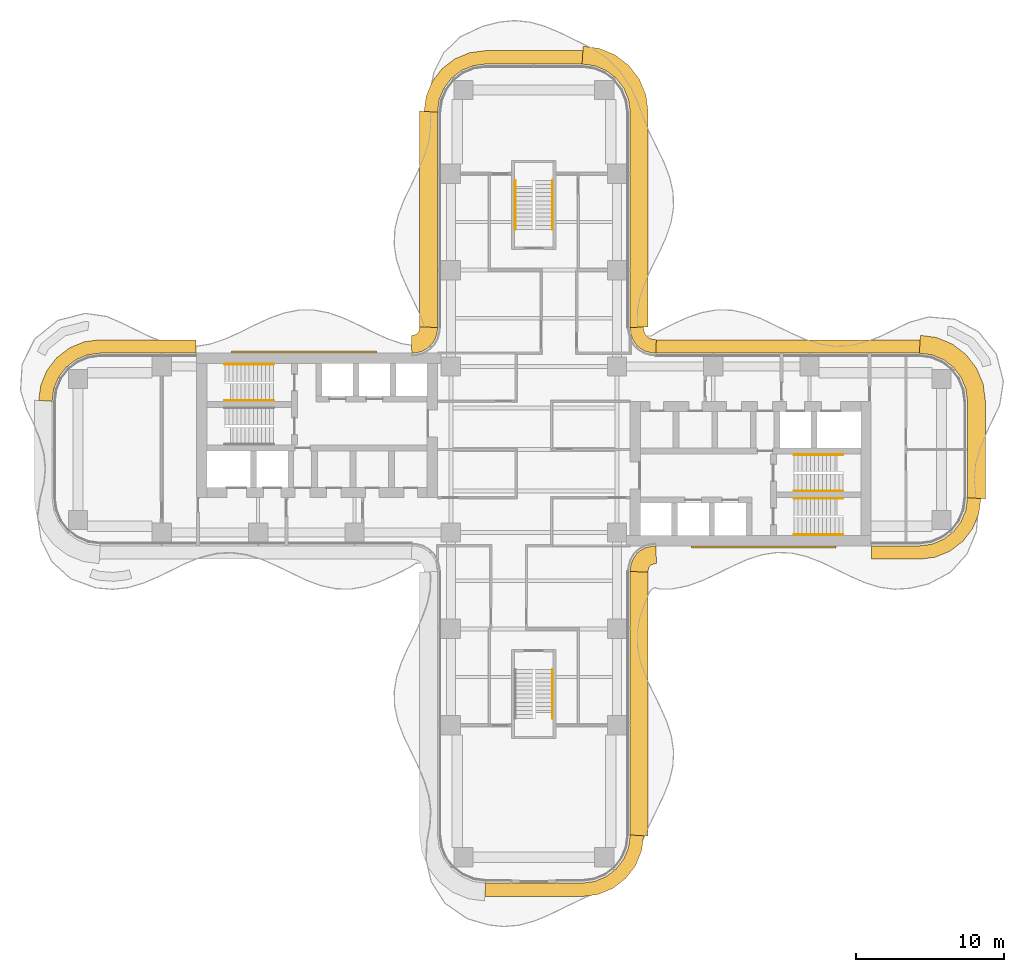
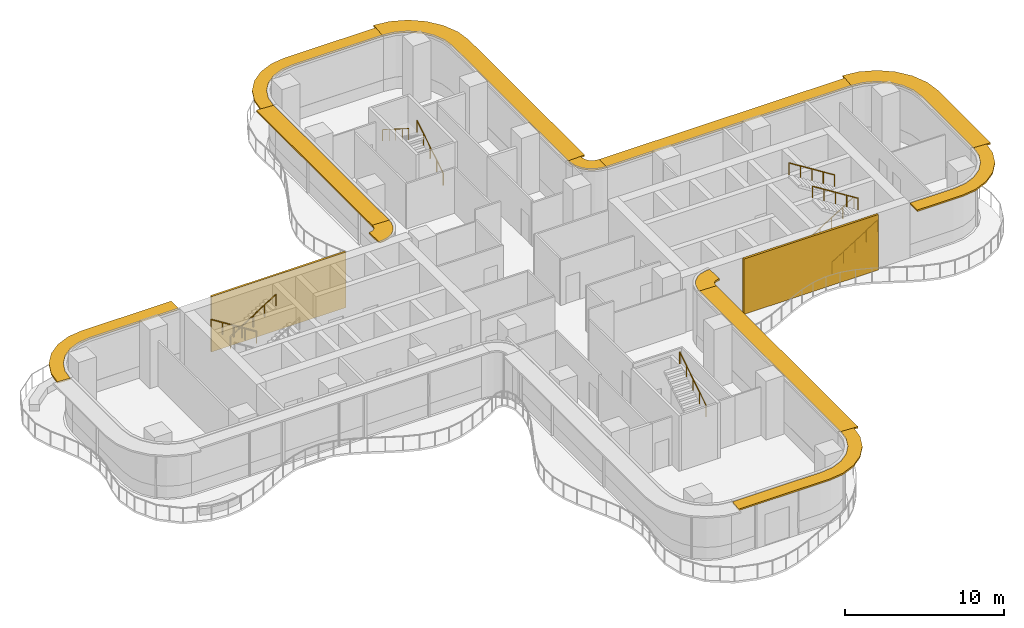
# One storey, part 21 of 21: 12 shading devices, 9 railings, 2 coverings.
"""IFC4 building model written with IfcOpenShell, lengths in metres."""

import ifcopenshell
import ifcopenshell.guid

model = None  # the IFC model being written
_history = None  # IfcOwnerHistory: only IFC2X3 demands one
_inside = {}  # id of a spatial element -> (the spatial element, [elements in it])
_under = {}  # id of a project, library or spatial element -> (it, [spatial elements below it])
_declared = {}  # id of a project -> (the project, [libraries it declares])
_typed = {}  # id of a type object -> (the type object, [elements of that type])
_made_of = {}  # id of a material, layer set ... -> (it, [elements and type objects made of it])


def new_model(schema):
    """Start an empty IFC model of exactly this schema.

    Asked for "IFC4X3", IfcOpenShell would pick the latest addendum, in which some entities
    have other attributes; the version numbers below select the first issue.
    IFC2X3 requires an IfcOwnerHistory on every rooted entity: one is made here for all.
    """
    global model, _history
    if schema == "IFC4X3":
        model = ifcopenshell.file(schema_version=(4, 3, 0, 0))
    else:
        model = ifcopenshell.file(schema=schema)
    _inside.clear()
    _under.clear()
    _declared.clear()
    _typed.clear()
    _made_of.clear()
    _history = None
    if model.schema == "IFC2X3":
        org = make("IfcOrganization", Name="unknown")
        user = make(
            "IfcPersonAndOrganization",
            ThePerson=make("IfcPerson", FamilyName="unknown"),
            TheOrganization=org,
        )
        app = make(
            "IfcApplication",
            ApplicationDeveloper=org,
            Version="unknown",
            ApplicationFullName="unknown",
            ApplicationIdentifier="unknown",
        )
        _history = make(
            "IfcOwnerHistory",
            OwningUser=user,
            OwningApplication=app,
            ChangeAction="ADDED",
            CreationDate=0,
        )
    return model


def make(cls, **values):
    """One entity of the class cls with the attributes given. An attribute that is None is left unset."""
    return model.create_entity(
        cls, **{name: value for name, value in values.items() if value is not None}
    )


def rooted(cls, **values):
    """An entity with a GlobalId (a new one), such as an element, a storey or a relation."""
    return make(cls, GlobalId=ifcopenshell.guid.new(), OwnerHistory=_history, **values)


def si_unit(unit_type, name, prefix=None):
    """IfcSIUnit, for example si_unit("LENGTHUNIT", "METRE", prefix="MILLI")."""
    return make("IfcSIUnit", UnitType=unit_type, Prefix=prefix, Name=name)


def assignment(units):
    """IfcUnitAssignment: the units of a project."""
    return None if units is None else make("IfcUnitAssignment", Units=units)


def point(xyz):
    """IfcCartesianPoint."""
    return None if xyz is None else make("IfcCartesianPoint", Coordinates=xyz)


def direction(xyz):
    """IfcDirection."""
    return None if xyz is None else make("IfcDirection", DirectionRatios=xyz)


def frame(location, z_axis=None, x_axis=None):
    """IfcAxis2Placement3D, a coordinate frame: its origin and axes. An axis left out is left unset."""
    return make(
        "IfcAxis2Placement3D",
        Location=point(location),
        Axis=direction(z_axis),
        RefDirection=direction(x_axis),
    )


def frame_2d(location, x_axis=None):
    """IfcAxis2Placement2D, a coordinate frame in the plane: its origin and x axis."""
    return make(
        "IfcAxis2Placement2D", Location=point(location), RefDirection=direction(x_axis)
    )


def origin():
    """The frame at (0, 0, 0) with its axes left unset."""
    return frame((0.0, 0.0, 0.0))


def origin_2d():
    """The frame at (0, 0) in the plane with its x axis left unset."""
    return frame_2d((0.0, 0.0))


def place(relative_to, where):
    """IfcLocalPlacement: puts the frame where relative to a parent placement (None: the world)."""
    return make(
        "IfcLocalPlacement", PlacementRelTo=relative_to, RelativePlacement=where
    )


def context(
    kind, dimensions, precision=None, world=None, true_north=None, identifier=None
):
    """IfcGeometricRepresentationContext, for example the 3D "Model" context."""
    return make(
        "IfcGeometricRepresentationContext",
        ContextIdentifier=identifier,
        ContextType=kind,
        CoordinateSpaceDimension=dimensions,
        Precision=precision,
        WorldCoordinateSystem=world,
        TrueNorth=true_north,
    )


def subcontext(parent, identifier, kind, view, scale=None):
    """IfcGeometricRepresentationSubContext, for example "Body" below "Model"."""
    return make(
        "IfcGeometricRepresentationSubContext",
        ContextIdentifier=identifier,
        ContextType=kind,
        ParentContext=parent,
        TargetScale=scale,
        TargetView=view,
    )


def project(units=None, contexts=None):
    """IfcProject with its units and contexts."""
    return rooted(
        "IfcProject",
        Name="project",
        RepresentationContexts=contexts,
        UnitsInContext=assignment(units),
    )


def spatial(cls, under=None, at=None, **own):
    """A site, building, storey or space (cls), placed at a placement, below another one or the project."""
    s = rooted(cls, ObjectPlacement=at, **own)
    if under is not None:
        _under.setdefault(under.id(), (under, []))[1].append(s)
    return s


def polyline(points):
    """IfcPolyline through the points."""
    return make("IfcPolyline", Points=[point(p) for p in points])


def profile(cls, at=None, kind="AREA", **sizes):
    """A parametric profile (cls). Its sizes go by their IFC names, for example OverallWidth=200.0."""
    return make(cls, ProfileType=kind, Position=at, **sizes)


def circle(**sizes):
    """IfcCircleProfileDef."""
    return profile("IfcCircleProfileDef", **sizes)


def outline(outer, holes=None, kind="AREA"):
    """IfcArbitraryClosedProfileDef: a profile drawn as a closed curve; with holes, ...WithVoids."""
    if holes is None:
        return make("IfcArbitraryClosedProfileDef", ProfileType=kind, OuterCurve=outer)
    return make(
        "IfcArbitraryProfileDefWithVoids",
        ProfileType=kind,
        OuterCurve=outer,
        InnerCurves=holes,
    )


def extrude(swept, where, along, depth):
    """IfcExtrudedAreaSolid: the profile swept, set in the frame where, extruded along a direction by depth."""
    return make(
        "IfcExtrudedAreaSolid",
        SweptArea=swept,
        Position=where,
        ExtrudedDirection=direction(along),
        Depth=depth,
    )


def shape(context_of_items, identifier, shape_type, items):
    """IfcShapeRepresentation: the items that make up one representation, for example the "Body"."""
    return make(
        "IfcShapeRepresentation",
        ContextOfItems=context_of_items,
        RepresentationIdentifier=identifier,
        RepresentationType=shape_type,
        Items=items,
    )


def source(mapping_origin, context_of_items, identifier, shape_type, items):
    """IfcRepresentationMap: a shape defined once, which mapped items show again and again."""
    return make(
        "IfcRepresentationMap",
        MappingOrigin=mapping_origin,
        MappedRepresentation=shape(context_of_items, identifier, shape_type, items),
    )


def transform(
    local_origin,
    x_axis=None,
    y_axis=None,
    z_axis=None,
    scale=None,
    scale2=None,
    scale3=None,
    uniform=True,
):
    """IfcCartesianTransformationOperator3D, or its non-uniform kind. x_axis, y_axis, z_axis: its Axis1, 2, 3."""
    if uniform:
        return make(
            "IfcCartesianTransformationOperator3D",
            Axis1=direction(x_axis),
            Axis2=direction(y_axis),
            LocalOrigin=point(local_origin),
            Scale=scale,
            Axis3=direction(z_axis),
        )
    return make(
        "IfcCartesianTransformationOperator3DnonUniform",
        Axis1=direction(x_axis),
        Axis2=direction(y_axis),
        LocalOrigin=point(local_origin),
        Scale=scale,
        Axis3=direction(z_axis),
        Scale2=scale2,
        Scale3=scale3,
    )


def mapped(mapping_source, mapping_target):
    """IfcMappedItem: shows the shape of a source again, moved by a transform."""
    return make(
        "IfcMappedItem", MappingSource=mapping_source, MappingTarget=mapping_target
    )


def material(Name=None, Category=None):
    """IfcMaterial."""
    return make("IfcMaterial", Name=Name, Category=Category)


def layer(
    of_material, thickness, ventilated=None, Name=None, Category=None, Priority=None
):
    """IfcMaterialLayer: one layer of a wall or slab, of a material (None: an air gap)."""
    return make(
        "IfcMaterialLayer",
        Material=of_material,
        LayerThickness=thickness,
        IsVentilated=ventilated,
        Name=Name,
        Category=Category,
        Priority=Priority,
    )


def layer_set(layers, Name=None):
    """IfcMaterialLayerSet."""
    return make("IfcMaterialLayerSet", MaterialLayers=layers, LayerSetName=Name)


def made_of(thing, what):
    """Note that an element or type object is made of a material, layer set ...; save() writes the relation."""
    if what is not None:
        _made_of.setdefault(what.id(), (what, []))[1].append(thing)
    return thing


def type_object(cls, material=None, **own):
    """A type object (cls), such as IfcWallType, which elements share."""
    return made_of(rooted(cls, **own), material)


def element(
    cls,
    number,
    at=None,
    inside=None,
    cuts=None,
    type_object=None,
    material=None,
    context=None,
    identifier="Body",
    shape_type=None,
    held_by="IfcProductDefinitionShape",
    body=None,
    shapes=None,
    **own,
):
    """One element of the class cls, such as IfcWall. Its Tag is "e" and its number.

    at: its placement. inside: the storey or other place that contains it. cuts: it is an
    opening in that element (IfcRelVoidsElement). A single representation is given by context,
    identifier, shape_type and body (its items); several are given by shapes. held_by: the class
    of the entity that holds the representations. save() writes the other relations.
    """
    e = rooted(cls, Tag="e%d" % number, ObjectPlacement=at, **own)
    if body is not None:
        shapes = [shape(context, identifier, shape_type, body)]
    if shapes is not None:
        e.Representation = make(held_by, Representations=shapes)
    if inside is not None:
        _inside.setdefault(inside.id(), (inside, []))[1].append(e)
    if cuts is not None:
        rooted(
            "IfcRelVoidsElement", RelatingBuildingElement=cuts, RelatedOpeningElement=e
        )
    if type_object is not None:
        _typed.setdefault(type_object.id(), (type_object, []))[1].append(e)
    return made_of(e, material)


def aggregate(whole, parts):
    """IfcRelAggregates: a whole, such as a stair, and the parts it consists of."""
    return rooted("IfcRelAggregates", RelatingObject=whole, RelatedObjects=parts)


def save(model, path):
    """Write the relations noted so far, then the file.

    IfcRelAggregates (storeys below a building ...), IfcRelContainedInSpatialStructure (elements
    in a storey), IfcRelDefinesByType, IfcRelAssociatesMaterial and IfcRelDeclares: one each for
    every whole, place, type object, material and project.
    """
    for whole, parts in _under.values():
        aggregate(whole, parts)
    for where, things in _inside.values():
        rooted(
            "IfcRelContainedInSpatialStructure",
            RelatedElements=things,
            RelatingStructure=where,
        )
    for kind, things in _typed.values():
        rooted("IfcRelDefinesByType", RelatedObjects=things, RelatingType=kind)
    for what, things in _made_of.values():
        rooted("IfcRelAssociatesMaterial", RelatedObjects=things, RelatingMaterial=what)
    for by, libraries in _declared.values():
        rooted("IfcRelDeclares", RelatingContext=by, RelatedDefinitions=libraries)
    model.write(path)


model = new_model("IFC4")

# Units and contexts
model_context = context("Model", 3, precision=1e-05, world=origin(), true_north=direction((0.0, 1.0)))
body_context = subcontext(model_context, "Body", "Model", "MODEL_VIEW")
ifc_project = project(units=[si_unit("LENGTHUNIT", "METRE"), si_unit("AREAUNIT", "SQUARE_METRE"), si_unit("VOLUMEUNIT", "CUBIC_METRE"), si_unit("PLANEANGLEUNIT", "RADIAN"), si_unit("MASSUNIT", "GRAM", prefix="KILO")], contexts=[model_context])

# Site, building, storey
site_placement = place(None, origin())
site = spatial("IfcSite", under=ifc_project, at=site_placement, CompositionType="ELEMENT")
building_placement = place(site_placement, origin())
building = spatial("IfcBuilding", under=site, at=building_placement, Name="Trellis Farm Tower", CompositionType="ELEMENT")
storey_placement = place(building_placement, frame((0.0, 0.0, 102.0)))
storey = spatial("IfcBuildingStorey", under=building, at=storey_placement, Name="L21", CompositionType="ELEMENT", Elevation=102.0)

# Railings
ifc_material_1 = material(Name="Stainless steel", Category="steel")
railing_type = type_object("IfcRailingType", Name="STAIR HANDRAIL 900", PredefinedType="HANDRAIL", material=ifc_material_1)
shared_shape_1 = source(origin(), body_context, "Body", "SweptSolid", [
    extrude(circle(Radius=0.02392578125, at=origin_2d()), frame((0.0, 0.0, 0.8759765625), z_axis=(0.0, 0.846319618018, 0.532675421018), x_axis=(-1.0, 0.0, 0.0)), (0.0, 0.0, 1.0), 3.89892578125),
    extrude(circle(Radius=0.02099609375, at=origin_2d()), origin(), (0.0, 0.0, 1.0), 0.851806640625),
    extrude(circle(Radius=0.02099609375, at=origin_2d()), frame((0.0, 0.824951171875, 0.519287109375)), (0.0, 0.0, 1.0), 0.851806640625),
    extrude(circle(Radius=0.02099609375, at=origin_2d()), frame((0.0, 1.64990234375, 1.03857421875)), (0.0, 0.0, 1.0), 0.851806640625),
    extrude(circle(Radius=0.02099609375, at=origin_2d()), frame((0.0, 2.474853515625, 1.5576171875)), (0.0, 0.0, 1.0), 0.851806640625),
    extrude(circle(Radius=0.02099609375, at=origin_2d()), frame((0.0, 3.2998046875, 2.076904296875)), (0.0, 0.0, 1.0), 0.851806640625),
])
for number, where, name in (
    (1, (1.25, 14.85009765625, 0.173095703125), "Stair handrail"),
    (2, (1.25, -18.14990234375, 2.423095703125), "Stair handrail"),
):
    element("IfcRailing", number, at=place(storey_placement, frame(where)), inside=storey, type_object=railing_type, Name=name, PredefinedType="HANDRAIL", context=body_context, shape_type="MappedRepresentation", body=[
        mapped(shared_shape_1, transform((0.0, 0.0, 0.0))),
    ])
shared_shape_2 = source(origin(), body_context, "Body", "SweptSolid", [
    extrude(circle(Radius=0.02392578125, at=origin_2d()), frame((0.0, 0.0, 0.8759765625), z_axis=(0.0, -0.846319618018, 0.532675421018), x_axis=(1.0, 0.0, 0.0)), (0.0, 0.0, 1.0), 3.89892578125),
    extrude(circle(Radius=0.02099609375, at=origin_2d()), origin(), (0.0, 0.0, 1.0), 0.851806640625),
    extrude(circle(Radius=0.02099609375, at=origin_2d()), frame((0.0, -0.824951171875, 0.519287109375)), (0.0, 0.0, 1.0), 0.851806640625),
    extrude(circle(Radius=0.02099609375, at=origin_2d()), frame((0.0, -1.64990234375, 1.03857421875)), (0.0, 0.0, 1.0), 0.851806640625),
    extrude(circle(Radius=0.02099609375, at=origin_2d()), frame((0.0, -2.474853515625, 1.5576171875)), (0.0, 0.0, 1.0), 0.851806640625),
    extrude(circle(Radius=0.02099609375, at=origin_2d()), frame((0.0, -3.2998046875, 2.076904296875)), (0.0, 0.0, 1.0), 0.851806640625),
])
railing_placement = place(storey_placement, frame((-1.25, 18.14990234375, 2.423095703125)))
element("IfcRailing", 3, at=railing_placement, inside=storey, type_object=railing_type, Name="Stair handrail", PredefinedType="HANDRAIL", context=body_context, shape_type="MappedRepresentation", body=[
    mapped(shared_shape_2, transform((0.0, 0.0, 0.0))),
])
shared_shape_3 = source(origin(), body_context, "Body", "SweptSolid", [
    extrude(circle(Radius=0.02392578125, at=origin_2d()), frame((0.0, 0.0, 0.8759765625), z_axis=(0.846337383501, 0.0, 0.532647194011), x_axis=(0.0, 1.0, 0.0)), (0.0, 0.0, 1.0), 3.899169921875),
    extrude(circle(Radius=0.02099609375, at=origin_2d()), origin(), (0.0, 0.0, 1.0), 0.851806640625),
    extrude(circle(Radius=0.02099609375, at=origin_2d()), frame((0.824951171875, 0.0, 0.519287109375)), (0.0, 0.0, 1.0), 0.851806640625),
    extrude(circle(Radius=0.02099609375, at=origin_2d()), frame((1.64990234375, 0.0, 1.03857421875)), (0.0, 0.0, 1.0), 0.851806640625),
    extrude(circle(Radius=0.02099609375, at=origin_2d()), frame((2.47509765625, 0.0, 1.5576171875)), (0.0, 0.0, 1.0), 0.851806640625),
    extrude(circle(Radius=0.02099609375, at=origin_2d()), frame((3.300048828125, 0.0, 2.076904296875)), (0.0, 0.0, 1.0), 0.851806640625),
])
for number, where, name in (
    (4, (17.550048828125, -5.75, 0.173095703125), "Stair handrail"),
    (5, (17.550048828125, -2.800048828125, 0.173095703125), "Stair handrail"),
    (6, (-20.85009765625, 3.300048828125, 2.423095703125), "Stair handrail"),
):
    element("IfcRailing", number, at=place(storey_placement, frame(where)), inside=storey, type_object=railing_type, Name=name, PredefinedType="HANDRAIL", context=body_context, shape_type="MappedRepresentation", body=[
        mapped(shared_shape_3, transform((0.0, 0.0, 0.0))),
    ])
shared_shape_4 = source(origin(), body_context, "Body", "SweptSolid", [
    extrude(circle(Radius=0.02392578125, at=origin_2d()), frame((0.0, 0.0, 0.8759765625), z_axis=(-0.846337383501, 0.0, 0.532647194011), x_axis=(0.0, -1.0, 0.0)), (0.0, 0.0, 1.0), 3.899169921875),
    extrude(circle(Radius=0.02099609375, at=origin_2d()), origin(), (0.0, 0.0, 1.0), 0.851806640625),
    extrude(circle(Radius=0.02099609375, at=origin_2d()), frame((-0.824951171875, 0.0, 0.519287109375)), (0.0, 0.0, 1.0), 0.851806640625),
    extrude(circle(Radius=0.02099609375, at=origin_2d()), frame((-1.64990234375, 0.0, 1.03857421875)), (0.0, 0.0, 1.0), 0.851806640625),
    extrude(circle(Radius=0.02099609375, at=origin_2d()), frame((-2.47509765625, 0.0, 1.5576171875)), (0.0, 0.0, 1.0), 0.851806640625),
    extrude(circle(Radius=0.02099609375, at=origin_2d()), frame((-3.300048828125, 0.0, 2.076904296875)), (0.0, 0.0, 1.0), 0.851806640625),
])
for number, where, name in (
    (7, (20.85009765625, -3.300048828125, 2.423095703125), "Stair handrail"),
    (8, (20.85009765625, -0.35009765625, 2.423095703125), "Stair handrail"),
    (9, (-17.550048828125, 5.75, 0.173095703125), "Stair handrail"),
):
    element("IfcRailing", number, at=place(storey_placement, frame(where)), inside=storey, type_object=railing_type, Name=name, PredefinedType="HANDRAIL", context=body_context, shape_type="MappedRepresentation", body=[
        mapped(shared_shape_4, transform((0.0, 0.0, 0.0))),
    ])

# Shading devices
ifc_material_2 = material(Name="Aluminium extrusion 6063-T6", Category="aluminium")
ifc_layer_1 = layer(ifc_material_2, 0.1201171875)
ifc_layer_set_1 = layer_set([ifc_layer_1], Name="SUNSHADE BLADE 900")
shading_device_type_1 = type_object("IfcShadingDeviceType", Name="SUNSHADE BLADE 900", PredefinedType="USERDEFINED", material=ifc_layer_set_1)
shared_shape_5 = source(origin(), body_context, "Body", "SweptSolid", [
    extrude(outline(polyline([(-3.30908203125, -30.14990234375), (3.30908203125, -30.14990234375), (4.326171875, -30.01611328125), (5.328857421875, -29.600830078125), (6.18994140625, -28.93994140625), (6.850830078125, -28.078857421875), (7.26611328125, -27.076171875), (7.39990234375, -26.05908203125), (6.5, -26.0), (6.38916015625, -26.841064453125), (6.064697265625, -27.625), (5.548095703125, -28.298095703125), (4.875, -28.814697265625), (4.091064453125, -29.13916015625), (3.25, -29.25), (-3.25, -29.25), (-3.30908203125, -30.14990234375)])), origin(), (0.0, 0.0, 1.0), 0.119873046875),
])
placement_1 = place(storey_placement, frame((0.0, 0.0, 4.090087890625)))
element("IfcShadingDevice", 10, at=placement_1, inside=storey, type_object=shading_device_type_1, Name="SD1 004", ObjectType="SUNSHADE", PredefinedType="USERDEFINED", context=body_context, shape_type="MappedRepresentation", body=[
    mapped(shared_shape_5, transform((0.0, 0.0, 0.0))),
])
ifc_layer_2 = layer(ifc_material_2, 0.1201171875)
ifc_layer_set_2 = layer_set([ifc_layer_2], Name="SUNSHADE BLADE 1200")
shading_device_type_2 = type_object("IfcShadingDeviceType", Name="SUNSHADE BLADE 1200", PredefinedType="USERDEFINED", material=ifc_layer_set_2)
shared_shape_6 = source(origin(), body_context, "Body", "SweptSolid", [
    extrude(outline(polyline([(7.699951171875, -26.07861328125), (7.699951171875, -8.270751953125), (6.5, -8.2314453125), (6.5, -26.0), (7.699951171875, -26.07861328125)])), origin(), (0.0, 0.0, 1.0), 0.119873046875),
])
element("IfcShadingDevice", 11, at=placement_1, inside=storey, type_object=shading_device_type_2, Name="SD2 005", ObjectType="SUNSHADE", PredefinedType="USERDEFINED", context=body_context, shape_type="MappedRepresentation", body=[
    mapped(shared_shape_6, transform((0.0, 0.0, 0.0))),
])
shared_shape_7 = source(origin(), body_context, "Body", "SweptSolid", [
    extrude(outline(polyline([(7.699951171875, -8.270751953125), (7.708740234375, -8.13720703125), (7.70703125, -8.150146484375), (7.7548828125, -7.9716796875), (7.80712890625, -7.881103515625), (7.881103515625, -7.80712890625), (7.9716796875, -7.7548828125), (8.150146484375, -7.70703125), (8.13720703125, -7.708740234375), (8.270751953125, -7.699951171875), (8.2314453125, -6.5), (8.01953125, -6.513916015625), (7.91552734375, -6.527587890625), (7.508544921875, -6.63671875), (7.144287109375, -6.846923828125), (6.846923828125, -7.144287109375), (6.63671875, -7.508544921875), (6.527587890625, -7.91552734375), (6.513916015625, -8.01953125), (6.5, -8.2314453125), (7.699951171875, -8.270751953125)])), origin(), (0.0, 0.0, 1.0), 0.119873046875),
])
element("IfcShadingDevice", 12, at=placement_1, inside=storey, type_object=shading_device_type_2, Name="SD2 006", ObjectType="SUNSHADE", PredefinedType="USERDEFINED", context=body_context, shape_type="MappedRepresentation", body=[
    mapped(shared_shape_7, transform((0.0, 0.0, 0.0))),
])
shared_shape_8 = source(origin(), body_context, "Body", "SweptSolid", [
    extrude(outline(polyline([(8.2607421875, 7.39990234375), (8.107666015625, 7.409912109375), (8.091552734375, 7.412109375), (7.85595703125, 7.475341796875), (7.697021484375, 7.567138671875), (7.567138671875, 7.697021484375), (7.475341796875, 7.85595703125), (7.412109375, 8.091552734375), (7.409912109375, 8.107666015625), (7.39990234375, 8.2607421875), (6.5, 8.2314453125), (6.513916015625, 8.01953125), (6.527587890625, 7.91552734375), (6.63671875, 7.508544921875), (6.846923828125, 7.144287109375), (7.144287109375, 6.846923828125), (7.508544921875, 6.63671875), (7.91552734375, 6.527587890625), (8.01953125, 6.513916015625), (8.2314453125, 6.5), (8.2607421875, 7.39990234375)])), origin(), (0.0, 0.0, 1.0), 0.119873046875),
])
element("IfcShadingDevice", 13, at=placement_1, inside=storey, type_object=shading_device_type_1, Name="SD1 010", ObjectType="SUNSHADE", PredefinedType="USERDEFINED", context=body_context, shape_type="MappedRepresentation", body=[
    mapped(shared_shape_8, transform((0.0, 0.0, 0.0))),
])
shared_shape_9 = source(origin(), body_context, "Body", "SweptSolid", [
    extrude(outline(polyline([(-7.699951171875, 8.270751953125), (-7.708740234375, 8.13720703125), (-7.70703125, 8.150146484375), (-7.7548828125, 7.9716796875), (-7.80712890625, 7.881103515625), (-7.881103515625, 7.80712890625), (-7.9716796875, 7.7548828125), (-8.150146484375, 7.70703125), (-8.13720703125, 7.708740234375), (-8.270751953125, 7.699951171875), (-8.2314453125, 6.5), (-8.01953125, 6.513916015625), (-7.91552734375, 6.527587890625), (-7.508544921875, 6.63671875), (-7.144287109375, 6.846923828125), (-6.846923828125, 7.144287109375), (-6.63671875, 7.508544921875), (-6.527587890625, 7.91552734375), (-6.513916015625, 8.01953125), (-6.5, 8.2314453125), (-7.699951171875, 8.270751953125)])), origin(), (0.0, 0.0, 1.0), 0.119873046875),
])
element("IfcShadingDevice", 14, at=placement_1, inside=storey, type_object=shading_device_type_2, Name="SD2 014", ObjectType="SUNSHADE", PredefinedType="USERDEFINED", context=body_context, shape_type="MappedRepresentation", body=[
    mapped(shared_shape_9, transform((0.0, 0.0, 0.0))),
])
shared_shape_10 = source(origin(), body_context, "Body", "SweptSolid", [
    extrude(outline(polyline([(-22.780029296875, 7.39990234375), (-29.30908203125, 7.39990234375), (-30.326171875, 7.26611328125), (-31.328857421875, 6.850830078125), (-32.18994140625, 6.18994140625), (-32.850830078125, 5.328857421875), (-33.26611328125, 4.326171875), (-33.39990234375, 3.30908203125), (-32.5, 3.25), (-32.38916015625, 4.091064453125), (-32.064697265625, 4.875), (-31.548095703125, 5.548095703125), (-30.875, 6.064697265625), (-30.091064453125, 6.38916015625), (-29.25, 6.5), (-22.780029296875, 6.5), (-22.780029296875, 7.39990234375)])), origin(), (0.0, 0.0, 1.0), 0.119873046875),
])
element("IfcShadingDevice", 15, at=placement_1, inside=storey, type_object=shading_device_type_1, Name="SD1 015", ObjectType="SUNSHADE", PredefinedType="USERDEFINED", context=body_context, shape_type="MappedRepresentation", body=[
    mapped(shared_shape_10, transform((0.0, 0.0, 0.0))),
])

# Coverings
ifc_material_3 = material(Name="Perforated precast screen (cobogo)", Category="concrete")
ifc_layer_3 = layer(ifc_material_3, 0.14990234375)
ifc_layer_set_3 = layer_set([ifc_layer_3], Name="COBOGO SCREEN PANEL")
covering_type = type_object("IfcCoveringType", Name="COBOGO SCREEN PANEL", PredefinedType="USERDEFINED", material=ifc_layer_set_3)
shared_shape_11 = source(origin(), body_context, "Body", "SweptSolid", [
    extrude(outline(polyline([(10.630615234375, -6.64990234375), (20.380615234375, -6.64990234375), (20.380615234375, -6.5), (10.630615234375, -6.5), (10.630615234375, -6.64990234375)])), origin(), (0.0, 0.0, 1.0), 4.25),
])
placement_2 = place(storey_placement, origin())
element("IfcCovering", 16, at=placement_2, inside=storey, type_object=covering_type, Name="SC1 01", ObjectType="SCREEN", PredefinedType="USERDEFINED", context=body_context, shape_type="MappedRepresentation", body=[
    mapped(shared_shape_11, transform((0.0, 0.0, 0.0))),
])
shared_shape_12 = source(origin(), body_context, "Body", "SweptSolid", [
    extrude(outline(polyline([(-10.630615234375, 6.64990234375), (-20.380615234375, 6.64990234375), (-20.380615234375, 6.5), (-10.630615234375, 6.5), (-10.630615234375, 6.64990234375)])), origin(), (0.0, 0.0, 1.0), 4.25),
])
element("IfcCovering", 17, at=placement_2, inside=storey, type_object=covering_type, Name="SC1 02", ObjectType="SCREEN", PredefinedType="USERDEFINED", context=body_context, shape_type="MappedRepresentation", body=[
    mapped(shared_shape_12, transform((0.0, 0.0, 0.0))),
])

# Shading devices
shared_shape_13 = source(origin(), body_context, "Body", "SweptSolid", [
    extrude(outline(polyline([(7.699951171875, 8.270751953125), (7.699951171875, 22.82861328125), (7.558349609375, 23.904541015625), (7.11279296875, 24.980224609375), (6.404052734375, 25.904052734375), (5.480224609375, 26.61279296875), (4.404541015625, 27.058349609375), (3.32861328125, 27.199951171875), (3.25, 26.0), (4.091064453125, 25.88916015625), (4.875, 25.564697265625), (5.548095703125, 25.048095703125), (6.064697265625, 24.375), (6.38916015625, 23.591064453125), (6.5, 22.75), (6.5, 8.2314453125), (7.699951171875, 8.270751953125)])), origin(), (0.0, 0.0, 1.0), 0.119873046875),
])
element("IfcShadingDevice", 18, at=placement_1, inside=storey, type_object=shading_device_type_2, Name="SD2 011", ObjectType="SUNSHADE", PredefinedType="USERDEFINED", context=body_context, shape_type="MappedRepresentation", body=[
    mapped(shared_shape_13, transform((0.0, 0.0, 0.0))),
])
shared_shape_14 = source(origin(), body_context, "Body", "SweptSolid", [
    extrude(outline(polyline([(3.30908203125, 26.89990234375), (-3.30908203125, 26.89990234375), (-4.326171875, 26.76611328125), (-5.328857421875, 26.350830078125), (-6.18994140625, 25.68994140625), (-6.850830078125, 24.828857421875), (-7.26611328125, 23.826171875), (-7.39990234375, 22.80908203125), (-6.5, 22.75), (-6.38916015625, 23.591064453125), (-6.064697265625, 24.375), (-5.548095703125, 25.048095703125), (-4.875, 25.564697265625), (-4.091064453125, 25.88916015625), (-3.25, 26.0), (3.25, 26.0), (3.30908203125, 26.89990234375)])), origin(), (0.0, 0.0, 1.0), 0.119873046875),
])
element("IfcShadingDevice", 19, at=placement_1, inside=storey, type_object=shading_device_type_1, Name="SD1 012", ObjectType="SUNSHADE", PredefinedType="USERDEFINED", context=body_context, shape_type="MappedRepresentation", body=[
    mapped(shared_shape_14, transform((0.0, 0.0, 0.0))),
])
shared_shape_15 = source(origin(), body_context, "Body", "SweptSolid", [
    extrude(outline(polyline([(-7.699951171875, 22.82861328125), (-7.699951171875, 8.270751953125), (-6.5, 8.2314453125), (-6.5, 22.75), (-7.699951171875, 22.82861328125)])), origin(), (0.0, 0.0, 1.0), 0.119873046875),
])
element("IfcShadingDevice", 20, at=placement_1, inside=storey, type_object=shading_device_type_2, Name="SD2 013", ObjectType="SUNSHADE", PredefinedType="USERDEFINED", context=body_context, shape_type="MappedRepresentation", body=[
    mapped(shared_shape_15, transform((0.0, 0.0, 0.0))),
])
shared_shape_16 = source(origin(), body_context, "Body", "SweptSolid", [
    extrude(outline(polyline([(22.780029296875, -7.39990234375), (26.05908203125, -7.39990234375), (27.076171875, -7.26611328125), (28.078857421875, -6.850830078125), (28.93994140625, -6.18994140625), (29.600830078125, -5.328857421875), (30.01611328125, -4.326171875), (30.14990234375, -3.30908203125), (29.25, -3.25), (29.13916015625, -4.091064453125), (28.814697265625, -4.875), (28.298095703125, -5.548095703125), (27.625, -6.064697265625), (26.841064453125, -6.38916015625), (26.0, -6.5), (22.780029296875, -6.5), (22.780029296875, -7.39990234375)])), origin(), (0.0, 0.0, 1.0), 0.119873046875),
])
element("IfcShadingDevice", 21, at=placement_1, inside=storey, type_object=shading_device_type_1, Name="SD1 007", ObjectType="SUNSHADE", PredefinedType="USERDEFINED", context=body_context, shape_type="MappedRepresentation", body=[
    mapped(shared_shape_16, transform((0.0, 0.0, 0.0))),
])
shared_shape_17 = source(origin(), body_context, "Body", "SweptSolid", [
    extrude(outline(polyline([(30.449951171875, -3.32861328125), (30.449951171875, 3.32861328125), (30.308349609375, 4.404541015625), (29.86279296875, 5.480224609375), (29.154052734375, 6.404052734375), (28.230224609375, 7.11279296875), (27.154541015625, 7.558349609375), (26.07861328125, 7.699951171875), (26.0, 6.5), (26.841064453125, 6.38916015625), (27.625, 6.064697265625), (28.298095703125, 5.548095703125), (28.814697265625, 4.875), (29.13916015625, 4.091064453125), (29.25, 3.25), (29.25, -3.25), (30.449951171875, -3.32861328125)])), origin(), (0.0, 0.0, 1.0), 0.119873046875),
])
element("IfcShadingDevice", 22, at=placement_1, inside=storey, type_object=shading_device_type_2, Name="SD2 008", ObjectType="SUNSHADE", PredefinedType="USERDEFINED", context=body_context, shape_type="MappedRepresentation", body=[
    mapped(shared_shape_17, transform((0.0, 0.0, 0.0))),
])
shared_shape_18 = source(origin(), body_context, "Body", "SweptSolid", [
    extrude(outline(polyline([(26.05908203125, 7.39990234375), (8.2607421875, 7.39990234375), (8.2314453125, 6.5), (26.0, 6.5), (26.05908203125, 7.39990234375)])), origin(), (0.0, 0.0, 1.0), 0.119873046875),
])
element("IfcShadingDevice", 23, at=placement_1, inside=storey, type_object=shading_device_type_1, Name="SD1 009", ObjectType="SUNSHADE", PredefinedType="USERDEFINED", context=body_context, shape_type="MappedRepresentation", body=[
    mapped(shared_shape_18, transform((0.0, 0.0, 0.0))),
])

save(model, "model.ifc")
